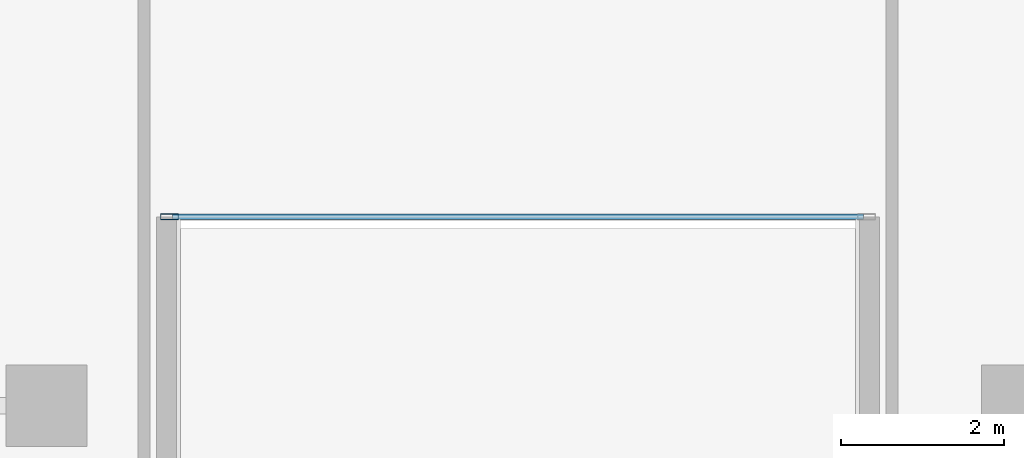
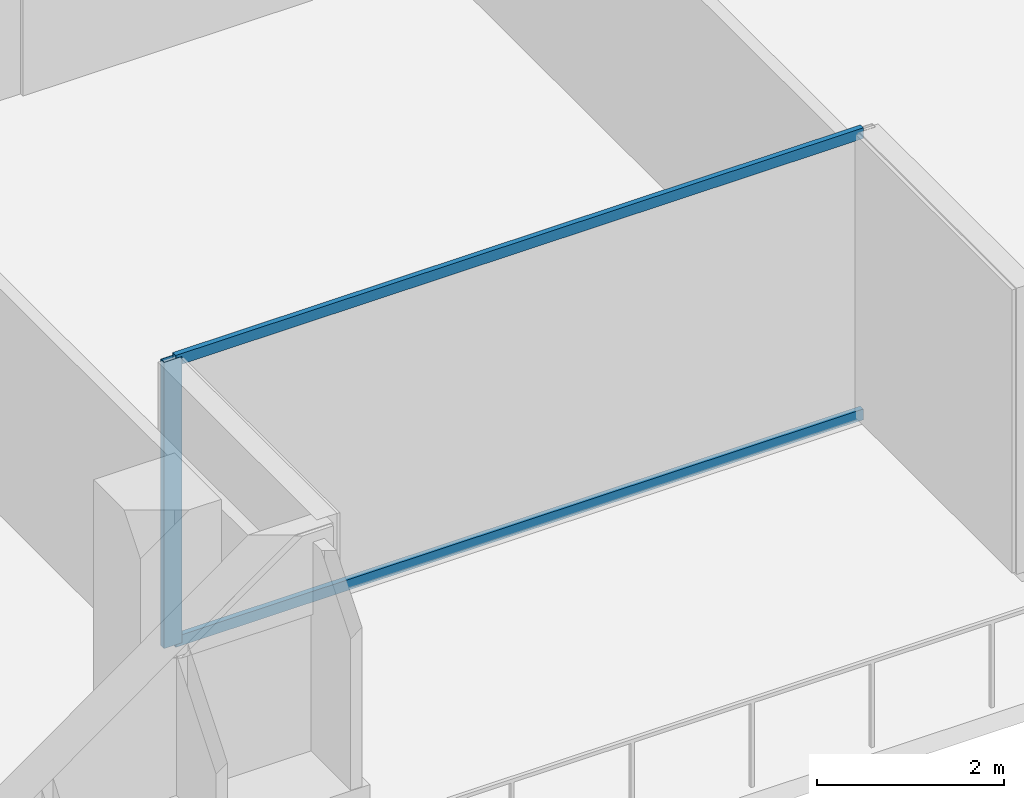
# One storey, part 4 of 38: 3 members, 1 element without a shape of its own.
"""IFC4 building model written with IfcOpenShell, lengths in metres."""

from ifc_helpers import new_model, si_unit, direction, frame, origin, origin_2d, place, context, subcontext, project, spatial, hollow_rectangle, extrude, material, layer, layer_set, material_profile, profile_set, type_object, element, aggregate, save


model = new_model("IFC4")

# Units and contexts
model_context = context("Model", 3, precision=1e-05, world=origin(), true_north=direction((0.0, 1.0)))
body_context = subcontext(model_context, "Body", "Model", "MODEL_VIEW")
ifc_project = project(units=[si_unit("LENGTHUNIT", "METRE"), si_unit("AREAUNIT", "SQUARE_METRE"), si_unit("VOLUMEUNIT", "CUBIC_METRE"), si_unit("PLANEANGLEUNIT", "RADIAN"), si_unit("MASSUNIT", "GRAM", prefix="KILO")], contexts=[model_context])

# Site, building, storey
site_placement = place(None, origin())
site = spatial("IfcSite", under=ifc_project, at=site_placement, CompositionType="ELEMENT")
building_placement = place(site_placement, origin())
building = spatial("IfcBuilding", under=site, at=building_placement, Name="Tanjung Sevakor Pilgrim Tower", CompositionType="ELEMENT")
storey_placement = place(building_placement, frame((0.0, 0.0, 78.2099609375)))
storey = spatial("IfcBuildingStorey", under=building, at=storey_placement, Name="L21", CompositionType="ELEMENT", Elevation=78.2099609375)

# Curtain wall, members
ifc_material_1 = material(Name="Aluminium 6063-T6 and Low-E Glass", Category="aluminium")
ifc_layer = layer(ifc_material_1, 0.179931640625)
ifc_layer_set = layer_set([ifc_layer], Name="CW-SYS-CLEFT")
curtain_wall_type = type_object("IfcCurtainWallType", Name="CW-SYS-CLEFT", PredefinedType="NOTDEFINED", material=ifc_layer_set)
curtain_wall_placement = place(storey_placement, origin())
curtain_wall = element("IfcCurtainWall", 1, at=curtain_wall_placement, inside=storey, type_object=curtain_wall_type, Name="L21 Curtain Wall CW-CLF-L21-2", PredefinedType="NOTDEFINED")
ifc_material_2 = material(Name="Aluminium 6063-T6", Category="aluminium")
ifc_material_profile_1 = material_profile(ifc_material_2, hollow_rectangle(XDim=0.074951171875, YDim=0.219970703125, WallThickness=0.0048828125, at=origin_2d()))
ifc_profile_set_1 = profile_set([ifc_material_profile_1], Name="Aluminium 6063-T6")
member_type_1 = type_object("IfcMemberType", Name="TYPE-CWM-2", PredefinedType="MULLION", material=ifc_profile_set_1)
member_1_placement = place(storey_placement, frame((43.512451171875, 13.125, 0.0), z_axis=(0.0, 0.0, 1.0), x_axis=(0.0, 1.0, 0.0)))
member_1 = element("IfcMember", 2, at=member_1_placement, type_object=member_type_1, Name="CW-CLF mullion 1", PredefinedType="MULLION", context=body_context, shape_type="SweptSolid", body=[
    extrude(hollow_rectangle(XDim=0.074951171875, YDim=0.219970703125, WallThickness=0.0048828125, at=origin_2d()), origin(), (0.0, 0.0, 1.0), 3.739990234375),
])
ifc_material_3 = material(Name="Aluminium 6063-T6", Category="aluminium")
ifc_material_profile_2 = material_profile(ifc_material_3, hollow_rectangle(XDim=0.06494140625, YDim=0.139892578125, WallThickness=0.00390625, at=origin_2d()))
ifc_profile_set_2 = profile_set([ifc_material_profile_2], Name="Aluminium 6063-T6")
member_type_2 = type_object("IfcMemberType", Name="TYPE-CWT-1", PredefinedType="USERDEFINED", material=ifc_profile_set_2)
member_2_placement = place(storey_placement, frame((43.550048828125, 13.125, 0.032470703125), z_axis=(1.0, 0.0, 0.0), x_axis=(0.0, 1.0, 0.0)))
member_2 = element("IfcMember", 3, at=member_2_placement, type_object=member_type_2, Name="CW-CLF transom 1.1", ObjectType="TRANSOM", PredefinedType="USERDEFINED", context=body_context, shape_type="SweptSolid", body=[
    extrude(hollow_rectangle(XDim=0.06494140625, YDim=0.139892578125, WallThickness=0.00390625, at=origin_2d()), origin(), (0.0, 0.0, 1.0), 8.5),
])
member_3_placement = place(storey_placement, frame((43.550048828125, 13.125, 3.70751953125), z_axis=(1.0, 0.0, 0.0), x_axis=(0.0, 1.0, 0.0)))
member_3 = element("IfcMember", 4, at=member_3_placement, type_object=member_type_2, Name="CW-CLF transom 1.2", ObjectType="TRANSOM", PredefinedType="USERDEFINED", context=body_context, shape_type="SweptSolid", body=[
    extrude(hollow_rectangle(XDim=0.06494140625, YDim=0.139892578125, WallThickness=0.00390625, at=origin_2d()), origin(), (0.0, 0.0, 1.0), 8.5),
])
aggregate(curtain_wall, [member_1, member_2, member_3])

save(model, "model.ifc")
